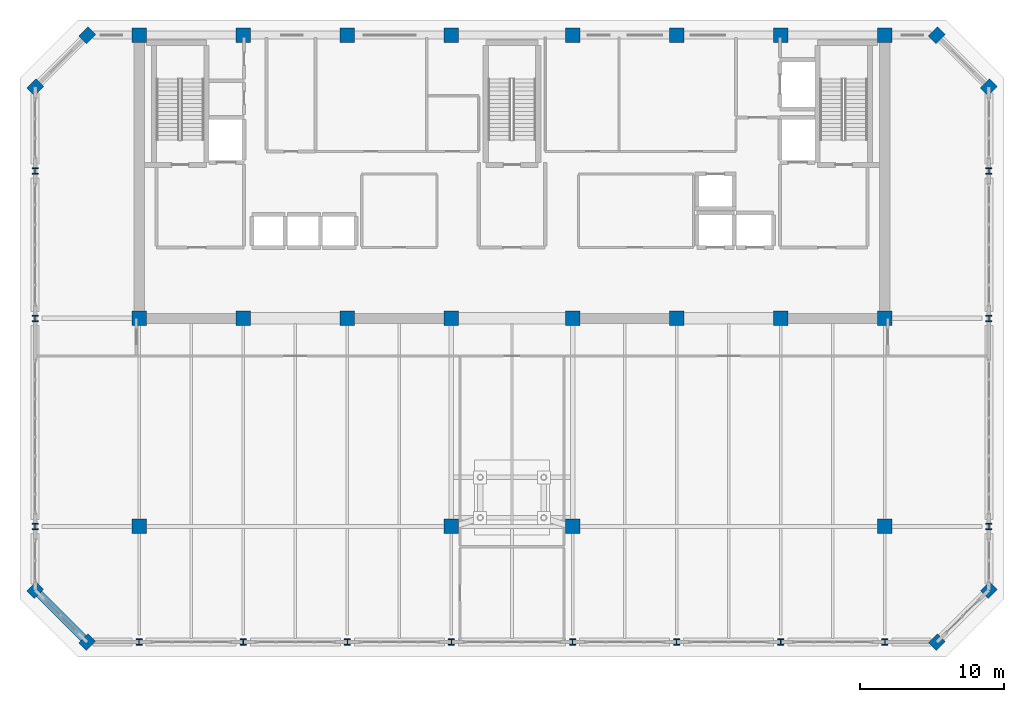
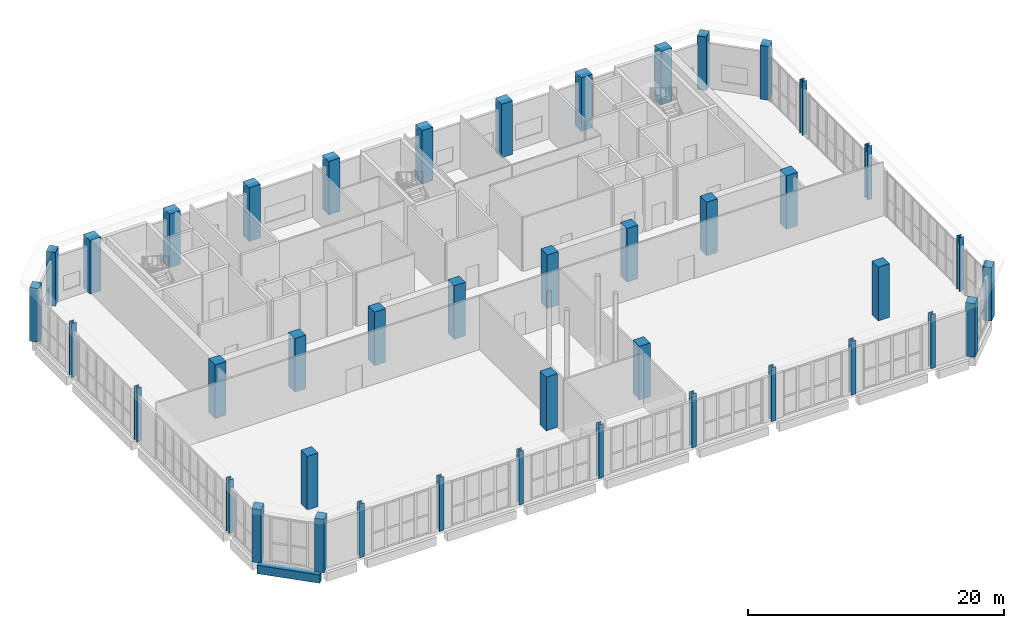
# One storey, part 1 of 26: 42 columns, 1 beam.
"""IFC4 building model written with IfcOpenShell, lengths in metres."""

from ifc_helpers import new_model, si_unit, direction, frame, origin, origin_2d, place, context, subcontext, project, spatial, rectangle, i_section, extrude, material, material_profile, profile_set, type_object, element, save


model = new_model("IFC4")

# Units and contexts
model_context = context("Model", 3, precision=1e-05, world=origin(), true_north=direction((0.0, 1.0)))
body_context = subcontext(model_context, "Body", "Model", "MODEL_VIEW")
ifc_project = project(units=[si_unit("LENGTHUNIT", "METRE"), si_unit("AREAUNIT", "SQUARE_METRE"), si_unit("VOLUMEUNIT", "CUBIC_METRE"), si_unit("PLANEANGLEUNIT", "RADIAN"), si_unit("MASSUNIT", "GRAM", prefix="KILO")], contexts=[model_context])

# Site, building, storey
site_placement = place(None, origin())
site = spatial("IfcSite", under=ifc_project, at=site_placement, CompositionType="ELEMENT")
building_placement = place(site_placement, origin())
building = spatial("IfcBuilding", under=site, at=building_placement, Name="Kaelvorn Grand Hotel", CompositionType="ELEMENT")
storey_placement = place(building_placement, frame((0.0, 0.0, 294.699951171875)))
storey = spatial("IfcBuildingStorey", under=building, at=storey_placement, Name="L72", CompositionType="ELEMENT", Elevation=294.699951171875)

# Columns
ifc_material_1 = material(Name="Concrete C60/75", Category="concrete")
ifc_material_profile_1 = material_profile(ifc_material_1, rectangle(XDim=0.89990234375, YDim=0.75, at=origin_2d()), Name="RC PILASTER 900x750")
ifc_profile_set_1 = profile_set([ifc_material_profile_1], Name="Concrete C60/75")
column_type_1 = type_object("IfcColumnType", Name="COL-PIL-900x750-C60", PredefinedType="PILASTER", material=ifc_profile_set_1)
for number, where, z_axis, x_axis, name in (
    (1, (12.60009765625, 7.0, 0.0), (0.0, 0.0, 1.0), (0.707106781187, 0.707106781187, 0.0), "L72 Structural Column CH-01"),
    (2, (71.39990234375, 7.0, 0.0), (0.0, 0.0, 1.0), (0.707106781187, 0.707106781187, 0.0), "L72 Structural Column CH-02"),
    (3, (75.0, 10.60009765625, 0.0), (0.0, 0.0, 1.0), (0.707106781187, 0.707106781187, 0.0), "L72 Structural Column CH-03"),
    (4, (75.0, 45.39990234375, 0.0), (0.0, 0.0, 1.0), (0.707106781187, 0.707106781187, 0.0), "L72 Structural Column CH-04"),
    (5, (71.39990234375, 49.0, 0.0), (0.0, 0.0, 1.0), (0.707106781187, 0.707106781187, 0.0), "L72 Structural Column CH-05"),
    (6, (12.60009765625, 49.0, 0.0), (0.0, 0.0, 1.0), (0.707106781187, 0.707106781187, 0.0), "L72 Structural Column CH-06"),
    (7, (9.0, 45.39990234375, 0.0), (0.0, 0.0, 1.0), (0.707106781187, 0.707106781187, 0.0), "L72 Structural Column CH-07"),
    (8, (9.0, 10.60009765625, 0.0), (0.0, 0.0, 1.0), (0.707106781187, 0.707106781187, 0.0), "L72 Structural Column CH-08"),
):
    element("IfcColumn", number, at=place(storey_placement, frame(where, z_axis=z_axis, x_axis=x_axis)), inside=storey, type_object=column_type_1, Name=name, PredefinedType="PILASTER", context=body_context, shape_type="SweptSolid", body=[
        extrude(rectangle(XDim=0.89990234375, YDim=0.75, at=origin_2d()), origin(), (0.0, 0.0, 1.0), 5.1201171875),
    ])
ifc_material_2 = material(Name="Concrete C50/60", Category="concrete")
ifc_material_profile_2 = material_profile(ifc_material_2, rectangle(XDim=1.0, YDim=1.0, at=origin_2d()), Name="RC COL 1000x1000")
ifc_profile_set_2 = profile_set([ifc_material_profile_2], Name="Concrete C50/60")
column_type_2 = type_object("IfcColumnType", Name="COL-RC-1000-C50", PredefinedType="COLUMN", material=ifc_profile_set_2)
for number, where, z_axis, x_axis, name in (
    (9, (16.199951171875, 15.0, 0.0), (0.0, 0.0, 1.0), (1.0, 0.0, 0.0), "L72 Structural Column M-01"),
    (10, (37.800048828125, 15.0, 0.0), (0.0, 0.0, 1.0), (1.0, 0.0, 0.0), "L72 Structural Column M-02"),
    (11, (46.199951171875, 15.0, 0.0), (0.0, 0.0, 1.0), (1.0, 0.0, 0.0), "L72 Structural Column M-03"),
    (12, (67.800048828125, 15.0, 0.0), (0.0, 0.0, 1.0), (1.0, 0.0, 0.0), "L72 Structural Column M-04"),
    (13, (16.199951171875, 29.39990234375, 0.0), (0.0, 0.0, 1.0), (1.0, 0.0, 0.0), "L72 Structural Column CR1-01"),
    (14, (16.199951171875, 49.0, 0.0), (0.0, 0.0, 1.0), (1.0, 0.0, 0.0), "L72 Structural Column CR2-01"),
    (15, (23.39990234375, 29.39990234375, 0.0), (0.0, 0.0, 1.0), (1.0, 0.0, 0.0), "L72 Structural Column CR1-02"),
    (16, (23.39990234375, 49.0, 0.0), (0.0, 0.0, 1.0), (1.0, 0.0, 0.0), "L72 Structural Column CR2-02"),
    (17, (30.60009765625, 29.39990234375, 0.0), (0.0, 0.0, 1.0), (1.0, 0.0, 0.0), "L72 Structural Column CR1-03"),
    (18, (30.60009765625, 49.0, 0.0), (0.0, 0.0, 1.0), (1.0, 0.0, 0.0), "L72 Structural Column CR2-03"),
    (19, (37.800048828125, 29.39990234375, 0.0), (0.0, 0.0, 1.0), (1.0, 0.0, 0.0), "L72 Structural Column CR1-04"),
    (20, (37.800048828125, 49.0, 0.0), (0.0, 0.0, 1.0), (1.0, 0.0, 0.0), "L72 Structural Column CR2-04"),
    (21, (46.199951171875, 29.39990234375, 0.0), (0.0, 0.0, 1.0), (1.0, 0.0, 0.0), "L72 Structural Column CR1-05"),
    (22, (46.199951171875, 49.0, 0.0), (0.0, 0.0, 1.0), (1.0, 0.0, 0.0), "L72 Structural Column CR2-05"),
    (23, (53.39990234375, 29.39990234375, 0.0), (0.0, 0.0, 1.0), (1.0, 0.0, 0.0), "L72 Structural Column CR1-06"),
    (24, (53.39990234375, 49.0, 0.0), (0.0, 0.0, 1.0), (1.0, 0.0, 0.0), "L72 Structural Column CR2-06"),
    (25, (60.60009765625, 29.39990234375, 0.0), (0.0, 0.0, 1.0), (1.0, 0.0, 0.0), "L72 Structural Column CR1-07"),
    (26, (60.60009765625, 49.0, 0.0), (0.0, 0.0, 1.0), (1.0, 0.0, 0.0), "L72 Structural Column CR2-07"),
    (27, (67.800048828125, 29.39990234375, 0.0), (0.0, 0.0, 1.0), (1.0, 0.0, 0.0), "L72 Structural Column CR1-08"),
    (28, (67.800048828125, 49.0, 0.0), (0.0, 0.0, 1.0), (1.0, 0.0, 0.0), "L72 Structural Column CR2-08"),
):
    element("IfcColumn", number, at=place(storey_placement, frame(where, z_axis=z_axis, x_axis=x_axis)), inside=storey, type_object=column_type_2, Name=name, PredefinedType="COLUMN", context=body_context, shape_type="SweptSolid", body=[
        extrude(rectangle(XDim=1.0, YDim=1.0, at=origin_2d()), origin(), (0.0, 0.0, 1.0), 5.1201171875),
    ])
ifc_material_3 = material(Name="Steel S460", Category="steel")
ifc_material_profile_3 = material_profile(ifc_material_3, i_section(OverallWidth=0.412109375, OverallDepth=0.43505859375, WebThickness=0.035888671875, FlangeThickness=0.055908203125, FilletRadius=0.014892578125, at=origin_2d()), Name="HD 400x463")
ifc_profile_set_3 = profile_set([ifc_material_profile_3], Name="Steel S460")
column_type_3 = type_object("IfcColumnType", Name="COL-STL-HD400-S460", PredefinedType="COLUMN", material=ifc_profile_set_3)
for number, where, z_axis, x_axis, name in (
    (29, (16.199951171875, 7.0, 0.0), (0.0, 0.0, 1.0), (1.0, 0.0, 0.0), "L72 Structural Column S-01"),
    (30, (23.39990234375, 7.0, 0.0), (0.0, 0.0, 1.0), (1.0, 0.0, 0.0), "L72 Structural Column S-02"),
    (31, (30.60009765625, 7.0, 0.0), (0.0, 0.0, 1.0), (1.0, 0.0, 0.0), "L72 Structural Column S-03"),
    (32, (37.800048828125, 7.0, 0.0), (0.0, 0.0, 1.0), (1.0, 0.0, 0.0), "L72 Structural Column S-04"),
    (33, (46.199951171875, 7.0, 0.0), (0.0, 0.0, 1.0), (1.0, 0.0, 0.0), "L72 Structural Column S-05"),
    (34, (53.39990234375, 7.0, 0.0), (0.0, 0.0, 1.0), (1.0, 0.0, 0.0), "L72 Structural Column S-06"),
    (35, (60.60009765625, 7.0, 0.0), (0.0, 0.0, 1.0), (1.0, 0.0, 0.0), "L72 Structural Column S-07"),
    (36, (67.800048828125, 7.0, 0.0), (0.0, 0.0, 1.0), (1.0, 0.0, 0.0), "L72 Structural Column S-08"),
    (37, (9.0, 15.0, 0.0), (0.0, 0.0, 1.0), (1.0, 0.0, 0.0), "L72 Structural Column W-01"),
    (38, (75.0, 15.0, 0.0), (0.0, 0.0, 1.0), (1.0, 0.0, 0.0), "L72 Structural Column E-01"),
    (39, (9.0, 29.39990234375, 0.0), (0.0, 0.0, 1.0), (1.0, 0.0, 0.0), "L72 Structural Column W-02"),
    (40, (75.0, 29.39990234375, 0.0), (0.0, 0.0, 1.0), (1.0, 0.0, 0.0), "L72 Structural Column E-02"),
    (41, (9.0, 39.60009765625, 0.0), (0.0, 0.0, 1.0), (1.0, 0.0, 0.0), "L72 Structural Column W-03"),
    (42, (75.0, 39.60009765625, 0.0), (0.0, 0.0, 1.0), (1.0, 0.0, 0.0), "L72 Structural Column E-03"),
):
    element("IfcColumn", number, at=place(storey_placement, frame(where, z_axis=z_axis, x_axis=x_axis)), inside=storey, type_object=column_type_3, Name=name, PredefinedType="COLUMN", context=body_context, shape_type="SweptSolid", body=[
        extrude(i_section(OverallWidth=0.412109375, OverallDepth=0.43505859375, WebThickness=0.035888671875, FlangeThickness=0.055908203125, FilletRadius=0.014892578125, at=origin_2d()), origin(), (0.0, 0.0, 1.0), 5.1201171875),
    ])

# Beam
ifc_material_profile_4 = material_profile(ifc_material_2, rectangle(XDim=0.550048828125, YDim=0.800048828125, at=origin_2d()), Name="RC SPANDREL 550x800")
ifc_profile_set_4 = profile_set([ifc_material_profile_4], Name="Concrete C50/60")
beam_type = type_object("IfcBeamType", Name="BM-SP-550x800-C50", PredefinedType="SPANDREL", material=ifc_profile_set_4)
beam_placement = place(storey_placement, frame((9.0, 10.60009765625, -0.780029296875), z_axis=(0.707106781187, -0.707106781187, 0.0), x_axis=(0.707106781187, 0.707106781187, 0.0)))
element("IfcBeam", 43, at=beam_placement, inside=storey, type_object=beam_type, Name="L72 Chamfer Spandrel Beam 4", PredefinedType="SPANDREL", context=body_context, shape_type="SweptSolid", body=[
    extrude(rectangle(XDim=0.550048828125, YDim=0.800048828125, at=origin_2d()), origin(), (0.0, 0.0, 1.0), 5.09130859375),
])

save(model, "model.ifc")
